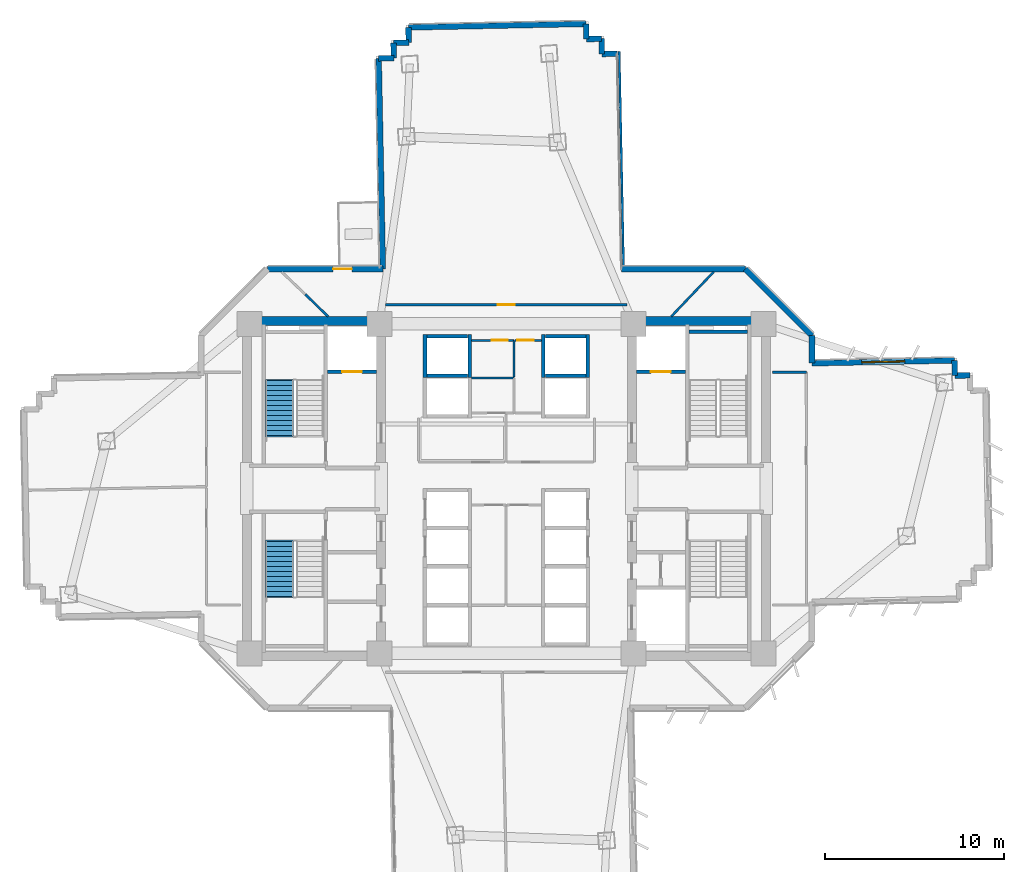
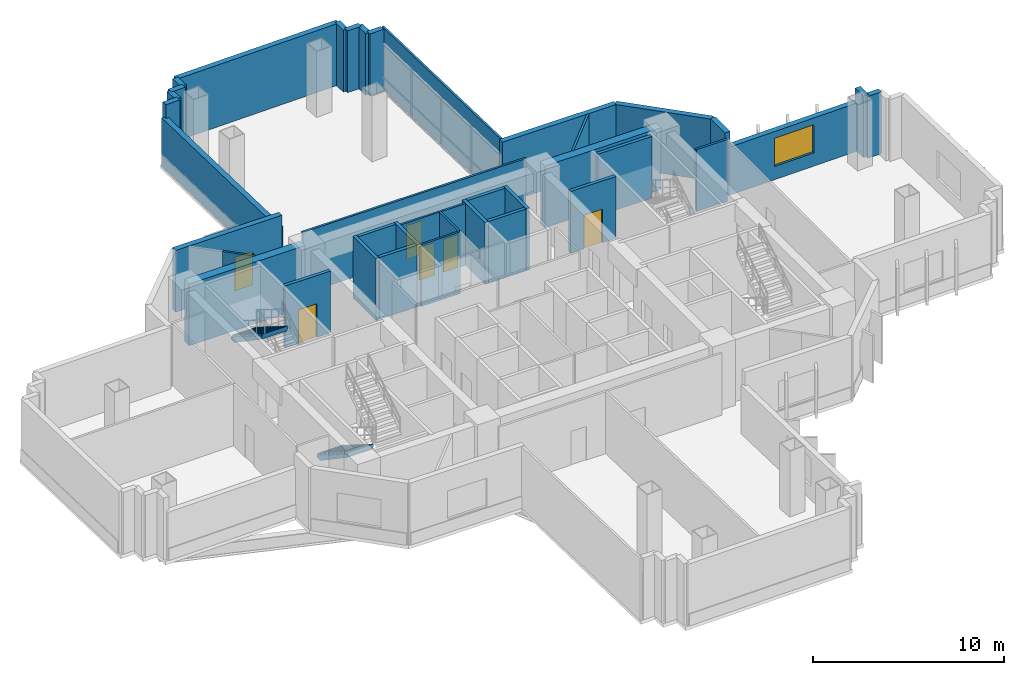
# One storey, part 9 of 15: 39 walls, 6 doors, 2 stair flights, 1 window, 7 openings, 2 elements without a shape of their own.
"""IFC4 building model written with IfcOpenShell, lengths in metres."""

from ifc_helpers import new_model, si_unit, direction, frame, frame_2d, origin, place, context, subcontext, project, spatial, polyline, rectangle, outline, extrude, source, transform, mapped, material, layer, layer_set, type_object, element, fill, aggregate, save


model = new_model("IFC4")

# Units and contexts
model_context = context("Model", 3, precision=1e-05, world=origin(), true_north=direction((0.0, 1.0)))
body_context = subcontext(model_context, "Body", "Model", "MODEL_VIEW")
ifc_project = project(units=[si_unit("LENGTHUNIT", "METRE"), si_unit("AREAUNIT", "SQUARE_METRE"), si_unit("VOLUMEUNIT", "CUBIC_METRE"), si_unit("PLANEANGLEUNIT", "RADIAN"), si_unit("MASSUNIT", "GRAM", prefix="KILO")], contexts=[model_context])

# Site, building, storey
site_placement = place(None, origin())
site = spatial("IfcSite", under=ifc_project, at=site_placement, CompositionType="ELEMENT")
building_placement = place(site_placement, origin())
building = spatial("IfcBuilding", under=site, at=building_placement, Name="Zahravan Cultural Tower", CompositionType="ELEMENT")
storey_placement = place(building_placement, frame((0.0, 0.0, 41.699951171875)))
storey = spatial("IfcBuildingStorey", under=building, at=storey_placement, Name="L08", CompositionType="ELEMENT", Elevation=41.699951171875)

# Wall, opening, window
ifc_material_1 = material(Name="Precast concrete C40/50", Category="concrete")
ifc_layer_1 = layer(ifc_material_1, 0.320068359375)
ifc_layer_set_1 = layer_set([ifc_layer_1], Name="Precast concrete C40/50")
wall_type_1 = type_object("IfcWallType", Name="EW-TC-320", PredefinedType="SOLIDWALL", material=ifc_layer_set_1)
wall_1_placement = place(storey_placement, frame((53.06005859375, 34.000732421875, 0.0), z_axis=(0.0, 0.0, 1.0), x_axis=(0.999802065132, 0.019895490902, 0.0)))
wall_1 = element("IfcWall", 1, at=wall_1_placement, inside=storey, type_object=wall_type_1, Name="L08 Exterior Masonry Frame Wall 01", PredefinedType="SOLIDWALL", context=body_context, shape_type="SweptSolid", body=[
    extrude(rectangle(XDim=7.9638671875, YDim=0.320068359375, at=frame_2d((3.98193359375, 0.0))), origin(), (0.0, 0.0, 1.0), 3.080078125),
])
opening_1_placement = place(wall_1_placement, frame((2.781982421875, 0.0, 0.85009765625)))
opening_1 = element("IfcOpeningElement", 2, at=opening_1_placement, cuts=wall_1, Name="Opening WN-01", PredefinedType="OPENING", context=body_context, shape_type="SweptSolid", body=[
    extrude(rectangle(XDim=2.39990234375, YDim=1.800048828125, at=frame_2d((1.199951171875, 0.89990234375))), frame((0.0, 0.169921875, 0.0), z_axis=(0.0, -1.0, 0.0), x_axis=(1.0, 0.0, 0.0)), (0.0, 0.0, 1.0), 0.340087890625),
])
ifc_material_2 = material(Name="Low-E solar-control double glazing", Category="glass")
window_type = type_object("IfcWindowType", Name="WN-REC-2400X1800", PartitioningType="DOUBLE_PANEL_VERTICAL", PredefinedType="WINDOW", material=ifc_material_2)
shared_shape_1 = source(origin(), body_context, "Body", "SweptSolid", [
    extrude(rectangle(XDim=2.39990234375, YDim=1.800048828125, at=frame_2d((1.199951171875, 0.89990234375))), frame((0.0, 0.030029296875, 0.0), z_axis=(0.0, -1.0, 0.0), x_axis=(1.0, 0.0, 0.0)), (0.0, 0.0, 1.0), 0.06005859375),
])
window_placement = place(opening_1_placement, origin())
window = element("IfcWindow", 3, at=window_placement, inside=storey, type_object=window_type, Name="L08 Recessed Solar Window 01", OverallHeight=1.800048828125, OverallWidth=2.39990234375, PartitioningType="DOUBLE_PANEL_VERTICAL", PredefinedType="WINDOW", context=body_context, shape_type="MappedRepresentation", body=[
    mapped(shared_shape_1, transform((0.0, 0.0, 0.0), x_axis=(1.0, 0.0, 0.0), y_axis=(0.0, 1.0, 0.0), z_axis=(0.0, 0.0, 1.0), scale=1.0)),
])
fill(opening_1, window)

# Wall, opening, door
wall_2_placement = place(storey_placement, frame((22.657958984375, 39.260009765625, 0.0), z_axis=(0.0, 0.0, 1.0), x_axis=(1.0, 0.0, 0.0)))
wall_2 = element("IfcWall", 4, at=wall_2_placement, inside=storey, type_object=wall_type_1, Name="L08 Exterior Masonry Frame Wall 41", PredefinedType="SOLIDWALL", context=body_context, shape_type="SweptSolid", body=[
    extrude(rectangle(XDim=6.436767578125, YDim=0.320068359375, at=frame_2d((3.21826171875, 0.0))), origin(), (0.0, 0.0, 1.0), 3.949951171875),
])
opening_2_placement = place(wall_2_placement, frame((3.6630859375, 0.0, 0.0)))
opening_2 = element("IfcOpeningElement", 5, at=opening_2_placement, cuts=wall_2, Name="Opening D-L08-TR-NW", PredefinedType="OPENING", context=body_context, shape_type="SweptSolid", body=[
    extrude(rectangle(XDim=1.050048828125, YDim=2.14990234375, at=frame_2d((0.52490234375, 1.074951171875))), frame((0.0, 0.169921875, 0.0), z_axis=(0.0, -1.0, 0.0), x_axis=(1.0, 0.0, 0.0)), (0.0, 0.0, 1.0), 0.340087890625),
])
ifc_material_3 = material(Name="Anodised bronze-aluminium mullion", Category="aluminium")
door_type_1 = type_object("IfcDoorType", Name="DR-TERR-1050", OperationType="NOTDEFINED", PredefinedType="DOOR", material=ifc_material_3)
shared_shape_2 = source(origin(), body_context, "Body", "SweptSolid", [
    extrude(rectangle(XDim=1.050048828125, YDim=2.14990234375, at=frame_2d((0.52490234375, 1.074951171875))), frame((0.0, 0.02490234375, 0.0), z_axis=(0.0, -1.0, 0.0), x_axis=(1.0, 0.0, 0.0)), (0.0, 0.0, 1.0), 0.050048828125),
])
door_1_placement = place(opening_2_placement, origin())
door_1 = element("IfcDoor", 6, at=door_1_placement, inside=storey, type_object=door_type_1, Name="L08 Terrace Access Door NW", OperationType="SINGLE_SWING_LEFT", OverallHeight=2.14990234375, OverallWidth=1.050048828125, PredefinedType="DOOR", context=body_context, shape_type="MappedRepresentation", body=[
    mapped(shared_shape_2, transform((0.0, 0.0, 0.0), x_axis=(1.0, 0.0, 0.0), y_axis=(0.0, 1.0, 0.0), z_axis=(0.0, 0.0, 1.0), scale=1.0)),
])
fill(opening_2, door_1)

ifc_material_4 = material(Name="Gypsum plasterboard partition")
ifc_layer_2 = layer(ifc_material_4, 0.125)
ifc_layer_set_2 = layer_set([ifc_layer_2], Name="Gypsum plasterboard partition")
wall_type_2 = type_object("IfcWallType", Name="W-PART-125", PredefinedType="PARTITIONING", material=ifc_layer_set_2)
wall_3_placement = place(storey_placement, frame((42.744140625, 37.260009765625, 0.0), z_axis=(0.0, 0.0, 1.0), x_axis=(-0.999999999345, -3.6194509e-05, 0.0)))
wall_3 = element("IfcWall", 7, at=wall_3_placement, inside=storey, type_object=wall_type_2, Name="L08 Interior Wall 104", PredefinedType="PARTITIONING", context=body_context, shape_type="SweptSolid", body=[
    extrude(rectangle(XDim=13.490478515625, YDim=0.125, at=frame_2d((6.7451171875, 0.0))), origin(), (0.0, 0.0, 1.0), 3.949951171875),
])
opening_3_placement = place(wall_3_placement, frame((6.270263671875, 0.0, 0.0)))
opening_3 = element("IfcOpeningElement", 8, at=opening_3_placement, cuts=wall_3, Name="Opening D-L08-20", PredefinedType="OPENING", context=body_context, shape_type="SweptSolid", body=[
    extrude(rectangle(XDim=0.949951171875, YDim=2.14990234375, at=frame_2d((0.47509765625, 1.074951171875))), frame((0.0, 0.072509765625, 0.0), z_axis=(0.0, -1.0, 0.0), x_axis=(1.0, 0.0, 0.0)), (0.0, 0.0, 1.0), 0.14501953125),
])
door_type_2 = type_object("IfcDoorType", Name="DR-ROOM-950", OperationType="NOTDEFINED", PredefinedType="DOOR", material=ifc_material_3)
shared_shape_3 = source(origin(), body_context, "Body", "SweptSolid", [
    extrude(rectangle(XDim=0.949951171875, YDim=2.14990234375, at=frame_2d((0.47509765625, 1.074951171875))), frame((0.0, 0.02490234375, 0.0), z_axis=(0.0, -1.0, 0.0), x_axis=(1.0, 0.0, 0.0)), (0.0, 0.0, 1.0), 0.050048828125),
])
door_2_placement = place(opening_3_placement, origin())
door_2 = element("IfcDoor", 9, at=door_2_placement, inside=storey, type_object=door_type_2, Name="L08 Door D-L08-20", OperationType="SINGLE_SWING_LEFT", OverallHeight=2.14990234375, OverallWidth=0.949951171875, PredefinedType="DOOR", context=body_context, shape_type="MappedRepresentation", body=[
    mapped(shared_shape_3, transform((0.0, 0.0, 0.0), x_axis=(1.0, 0.0, 0.0), y_axis=(0.0, 1.0, 0.0), z_axis=(0.0, 0.0, 1.0), scale=1.0)),
])
fill(opening_3, door_2)

ifc_material_5 = material(Name="Concrete C45/55", Category="concrete")
ifc_layer_3 = layer(ifc_material_5, 0.199951171875)
ifc_layer_set_3 = layer_set([ifc_layer_3], Name="Concrete C45/55")
wall_type_3 = type_object("IfcWallType", Name="W-SHAFT-200", PredefinedType="SOLIDWALL", material=ifc_layer_set_3)
wall_4_placement = place(storey_placement, frame((26.0, 33.52001953125, 0.0), z_axis=(0.0, 0.0, 1.0), x_axis=(1.0, 0.0, 0.0)))
wall_4 = element("IfcWall", 10, at=wall_4_placement, inside=storey, type_object=wall_type_3, Name="L08 Interior Wall 021", PredefinedType="SOLIDWALL", context=body_context, shape_type="SweptSolid", body=[
    extrude(rectangle(XDim=2.75, YDim=0.199951171875, at=frame_2d((1.375, 0.0))), origin(), (0.0, 0.0, 1.0), 3.949951171875),
])
opening_4_placement = place(wall_4_placement, frame((0.820068359375, 0.0, 0.0)))
opening_4 = element("IfcOpeningElement", 11, at=opening_4_placement, cuts=wall_4, Name="Opening LD-L08-01", PredefinedType="OPENING", context=body_context, shape_type="SweptSolid", body=[
    extrude(rectangle(XDim=1.10009765625, YDim=2.14990234375, at=frame_2d((0.550048828125, 1.074951171875))), frame((0.0, 0.10986328125, 0.0), z_axis=(0.0, -1.0, 0.0), x_axis=(1.0, 0.0, 0.0)), (0.0, 0.0, 1.0), 0.219970703125),
])
ifc_material_6 = material(Name="Steel ASTM A572 Grade 50", Category="steel")
door_type_3 = type_object("IfcDoorType", Name="DR-LIFT-1100", OperationType="DOUBLE_DOOR_SLIDING", PredefinedType="DOOR", material=ifc_material_6)
shared_shape_4 = source(origin(), body_context, "Body", "SweptSolid", [
    extrude(rectangle(XDim=1.10009765625, YDim=2.14990234375, at=frame_2d((0.550048828125, 1.074951171875))), frame((0.0, 0.02490234375, 0.0), z_axis=(0.0, -1.0, 0.0), x_axis=(1.0, 0.0, 0.0)), (0.0, 0.0, 1.0), 0.050048828125),
])
door_3_placement = place(opening_4_placement, origin())
door_3 = element("IfcDoor", 12, at=door_3_placement, inside=storey, type_object=door_type_3, Name="L08 Door LD-L08-01", OperationType="DOUBLE_DOOR_SLIDING", OverallHeight=2.14990234375, OverallWidth=1.10009765625, PredefinedType="DOOR", context=body_context, shape_type="MappedRepresentation", body=[
    mapped(shared_shape_4, transform((0.0, 0.0, 0.0), x_axis=(1.0, 0.0, 0.0), y_axis=(0.0, 1.0, 0.0), z_axis=(0.0, 0.0, 1.0), scale=1.0)),
])
fill(opening_4, door_3)

wall_5_placement = place(storey_placement, frame((43.25, 33.52001953125, 0.0), z_axis=(0.0, 0.0, 1.0), x_axis=(1.0, 0.0, 0.0)))
wall_5 = element("IfcWall", 13, at=wall_5_placement, inside=storey, type_object=wall_type_3, Name="L08 Interior Wall 022", PredefinedType="SOLIDWALL", context=body_context, shape_type="SweptSolid", body=[
    extrude(rectangle(XDim=2.75, YDim=0.199951171875, at=frame_2d((1.375, 0.0))), origin(), (0.0, 0.0, 1.0), 3.949951171875),
])
opening_5_placement = place(wall_5_placement, frame((0.820068359375, 0.0, 0.0)))
opening_5 = element("IfcOpeningElement", 14, at=opening_5_placement, cuts=wall_5, Name="Opening LD-L08-02", PredefinedType="OPENING", context=body_context, shape_type="SweptSolid", body=[
    extrude(rectangle(XDim=1.10009765625, YDim=2.14990234375, at=frame_2d((0.550048828125, 1.074951171875))), frame((0.0, 0.10986328125, 0.0), z_axis=(0.0, -1.0, 0.0), x_axis=(1.0, 0.0, 0.0)), (0.0, 0.0, 1.0), 0.219970703125),
])
door_4_placement = place(opening_5_placement, origin())
door_4 = element("IfcDoor", 15, at=door_4_placement, inside=storey, type_object=door_type_3, Name="L08 Door LD-L08-02", OperationType="DOUBLE_DOOR_SLIDING", OverallHeight=2.14990234375, OverallWidth=1.10009765625, PredefinedType="DOOR", context=body_context, shape_type="MappedRepresentation", body=[
    mapped(shared_shape_4, transform((0.0, 0.0, 0.0), x_axis=(1.0, 0.0, 0.0), y_axis=(0.0, 1.0, 0.0), z_axis=(0.0, 0.0, 1.0), scale=1.0)),
])
fill(opening_5, door_4)

ifc_layer_4 = layer(ifc_material_4, 0.114990234375)
ifc_layer_set_4 = layer_set([ifc_layer_4], Name="Gypsum plasterboard partition")
wall_type_4 = type_object("IfcWallType", Name="W-WC-115", PredefinedType="PARTITIONING", material=ifc_layer_set_4)
wall_6_placement = place(storey_placement, frame((34.054931640625, 35.280029296875, 0.0), z_axis=(0.0, 0.0, 1.0), x_axis=(1.0, 0.0, 0.0)))
wall_6 = element("IfcWall", 16, at=wall_6_placement, inside=storey, type_object=wall_type_4, Name="L08 Interior Wall 071", PredefinedType="PARTITIONING", context=body_context, shape_type="SweptSolid", body=[
    extrude(rectangle(XDim=2.35498046875, YDim=0.114990234375, at=frame_2d((1.177490234375, 0.0))), origin(), (0.0, 0.0, 1.0), 3.949951171875),
])
opening_6_placement = place(wall_6_placement, frame((1.120849609375, 0.0, 0.0)))
opening_6 = element("IfcOpeningElement", 17, at=opening_6_placement, cuts=wall_6, Name="Opening D-L08-13", PredefinedType="OPENING", context=body_context, shape_type="SweptSolid", body=[
    extrude(rectangle(XDim=0.89990234375, YDim=2.10009765625, at=frame_2d((0.449951171875, 1.050048828125))), frame((0.0, 0.0673828125, 0.0), z_axis=(0.0, -1.0, 0.0), x_axis=(1.0, 0.0, 0.0)), (0.0, 0.0, 1.0), 0.135009765625),
])
door_type_4 = type_object("IfcDoorType", Name="DR-WC-900", OperationType="NOTDEFINED", PredefinedType="DOOR", material=ifc_material_3)
shared_shape_5 = source(origin(), body_context, "Body", "SweptSolid", [
    extrude(rectangle(XDim=0.89990234375, YDim=2.10009765625, at=frame_2d((0.449951171875, 1.050048828125))), frame((0.0, 0.02490234375, 0.0), z_axis=(0.0, -1.0, 0.0), x_axis=(1.0, 0.0, 0.0)), (0.0, 0.0, 1.0), 0.050048828125),
])
door_5_placement = place(opening_6_placement, origin())
door_5 = element("IfcDoor", 18, at=door_5_placement, inside=storey, type_object=door_type_4, Name="L08 Door D-L08-13", OperationType="SINGLE_SWING_RIGHT", OverallHeight=2.10009765625, OverallWidth=0.89990234375, PredefinedType="DOOR", context=body_context, shape_type="MappedRepresentation", body=[
    mapped(shared_shape_5, transform((0.0, 0.0, 0.0), x_axis=(1.0, 0.0, 0.0), y_axis=(0.0, 1.0, 0.0), z_axis=(0.0, 0.0, 1.0), scale=1.0)),
])
fill(opening_6, door_5)

wall_7_placement = place(storey_placement, frame((36.472412109375, 35.280029296875, 0.0), z_axis=(0.0, 0.0, 1.0), x_axis=(1.0, 0.0, 0.0)))
wall_7 = element("IfcWall", 19, at=wall_7_placement, inside=storey, type_object=wall_type_4, Name="L08 Interior Wall 074", PredefinedType="PARTITIONING", context=body_context, shape_type="SweptSolid", body=[
    extrude(rectangle(XDim=1.47265625, YDim=0.114990234375, at=frame_2d((0.736328125, 0.0))), origin(), (0.0, 0.0, 1.0), 3.949951171875),
])
opening_7_placement = place(wall_7_placement, frame((0.139892578125, 0.0, 0.0)))
opening_7 = element("IfcOpeningElement", 20, at=opening_7_placement, cuts=wall_7, Name="Opening D-L08-14", PredefinedType="OPENING", context=body_context, shape_type="SweptSolid", body=[
    extrude(rectangle(XDim=0.89990234375, YDim=2.10009765625, at=frame_2d((0.449951171875, 1.050048828125))), frame((0.0, 0.0673828125, 0.0), z_axis=(0.0, -1.0, 0.0), x_axis=(1.0, 0.0, 0.0)), (0.0, 0.0, 1.0), 0.135009765625),
])
door_6_placement = place(opening_7_placement, origin())
door_6 = element("IfcDoor", 21, at=door_6_placement, inside=storey, type_object=door_type_4, Name="L08 Door D-L08-14", OperationType="SINGLE_SWING_LEFT", OverallHeight=2.10009765625, OverallWidth=0.89990234375, PredefinedType="DOOR", context=body_context, shape_type="MappedRepresentation", body=[
    mapped(shared_shape_5, transform((0.0, 0.0, 0.0), x_axis=(1.0, 0.0, 0.0), y_axis=(0.0, 1.0, 0.0), z_axis=(0.0, 0.0, 1.0), scale=1.0)),
])
fill(opening_7, door_6)

# Walls
ifc_material_7 = material(Name="Concrete C60/75", Category="concrete")
ifc_layer_5 = layer(ifc_material_7, 0.5)
ifc_layer_set_5 = layer_set([ifc_layer_5], Name="Concrete C60/75")
wall_type_5 = type_object("IfcWallType", Name="CW-SHEAR-500-C60", PredefinedType="SHEAR", material=ifc_layer_set_5)
shared_shape_6 = source(origin(), body_context, "Body", "SweptSolid", [
    extrude(rectangle(XDim=7.0, YDim=0.5, at=frame_2d((3.5, 0.0))), origin(), (0.0, 0.0, 1.0), 3.949951171875),
])
for number, where, z_axis, x_axis, name in (
    (22, (21.75, 36.35009765625, 0.0), (0.0, 0.0, 1.0), (1.0, 0.0, 0.0), "L08 Core Shear Wall CW-W-N-L08"),
    (23, (43.25, 36.35009765625, 0.0), (0.0, 0.0, 1.0), (1.0, 0.0, 0.0), "L08 Core Shear Wall CW-E-N-L08"),
):
    element("IfcWall", number, at=place(storey_placement, frame(where, z_axis=z_axis, x_axis=x_axis)), inside=storey, type_object=wall_type_5, Name=name, PredefinedType="SHEAR", context=body_context, shape_type="MappedRepresentation", body=[
        mapped(shared_shape_6, transform((0.0, 0.0, 0.0), x_axis=(1.0, 0.0, 0.0), y_axis=(0.0, 1.0, 0.0), z_axis=(0.0, 0.0, 1.0), scale=1.0)),
    ])
shared_shape_7 = source(origin(), body_context, "Body", "SweptSolid", [
    extrude(rectangle(XDim=0.849853515625, YDim=0.320068359375, at=frame_2d((0.4248046875, 0.0))), origin(), (0.0, 0.0, 1.0), 3.949951171875),
])
wall_8_placement = place(storey_placement, frame((30.54345703125, 51.906494140625, 0.0), z_axis=(0.0, 0.0, 1.0), x_axis=(-0.019823689915, 0.999803491351, 0.0)))
element("IfcWall", 24, at=wall_8_placement, inside=storey, type_object=wall_type_1, Name="L08 Exterior Masonry Frame Wall 46", PredefinedType="SOLIDWALL", context=body_context, shape_type="MappedRepresentation", body=[
    mapped(shared_shape_7, transform((0.0, 0.0, 0.0), x_axis=(1.0, 0.0, 0.0), y_axis=(0.0, 1.0, 0.0), z_axis=(0.0, 0.0, 1.0), scale=1.0)),
])
shared_shape_8 = source(origin(), body_context, "Body", "SweptSolid", [
    extrude(rectangle(XDim=0.85009765625, YDim=0.320068359375, at=frame_2d((0.425048828125, 0.0))), origin(), (0.0, 0.0, 1.0), 3.949951171875),
])
for number, where, z_axis, x_axis, name in (
    (25, (61.0224609375, 34.1591796875, 0.0), (0.0, 0.0, 1.0), (0.019817997326, -0.999803604205, 0.0), "L08 Exterior Masonry Frame Wall 02"),
    (26, (61.039306640625, 33.309326171875, 0.0), (0.0, 0.0, 1.0), (0.999797872061, 0.020105099409, 0.0), "L08 Exterior Masonry Frame Wall 03"),
    (27, (28.860595703125, 51.022705078125, 0.0), (0.0, 0.0, 1.0), (0.999803604205, 0.019817997326, 0.0), "L08 Exterior Masonry Frame Wall 43"),
    (28, (29.71044921875, 51.03955078125, 0.0), (0.0, 0.0, 1.0), (-0.019817997326, 0.999803604205, 0.0), "L08 Exterior Masonry Frame Wall 44"),
    (29, (29.693603515625, 51.889404296875, 0.0), (0.0, 0.0, 1.0), (0.999797872061, 0.020105099409, 0.0), "L08 Exterior Masonry Frame Wall 45"),
    (30, (40.444580078125, 52.95361328125, 0.0), (0.0, 0.0, 1.0), (0.019817997326, -0.999803604205, 0.0), "L08 Exterior Masonry Frame Wall 48"),
    (31, (40.46142578125, 52.103759765625, 0.0), (0.0, 0.0, 1.0), (0.999803604205, 0.019817997326, 0.0), "L08 Exterior Masonry Frame Wall 49"),
    (32, (41.311279296875, 52.12060546875, 0.0), (0.0, 0.0, 1.0), (0.019817997326, -0.999803604205, 0.0), "L08 Exterior Masonry Frame Wall 50"),
    (33, (41.328125, 51.270751953125, 0.0), (0.0, 0.0, 1.0), (0.999803604205, 0.019817997326, 0.0), "L08 Exterior Masonry Frame Wall 51"),
):
    element("IfcWall", number, at=place(storey_placement, frame(where, z_axis=z_axis, x_axis=x_axis)), inside=storey, type_object=wall_type_1, Name=name, PredefinedType="SOLIDWALL", context=body_context, shape_type="MappedRepresentation", body=[
        mapped(shared_shape_8, transform((0.0, 0.0, 0.0), x_axis=(1.0, 0.0, 0.0), y_axis=(0.0, 1.0, 0.0), z_axis=(0.0, 0.0, 1.0), scale=1.0)),
    ])
shared_shape_9 = source(origin(), body_context, "Body", "SweptSolid", [
    extrude(rectangle(XDim=9.919921875, YDim=0.320068359375, at=frame_2d((4.9599609375, 0.0))), origin(), (0.0, 0.0, 1.0), 3.949951171875),
])
wall_9_placement = place(storey_placement, frame((30.526611328125, 52.756103515625, 0.0), z_axis=(0.0, 0.0, 1.0), x_axis=(0.999801768563, 0.019910388705, 0.0)))
element("IfcWall", 34, at=wall_9_placement, inside=storey, type_object=wall_type_1, Name="L08 Exterior Masonry Frame Wall 47", PredefinedType="SOLIDWALL", context=body_context, shape_type="MappedRepresentation", body=[
    mapped(shared_shape_9, transform((0.0, 0.0, 0.0), x_axis=(1.0, 0.0, 0.0), y_axis=(0.0, 1.0, 0.0), z_axis=(0.0, 0.0, 1.0), scale=1.0)),
])
shared_shape_10 = source(origin(), body_context, "Body", "SweptSolid", [
    extrude(rectangle(XDim=5.258056640625, YDim=0.320068359375, at=frame_2d((2.62890625, 0.0))), origin(), (0.0, 0.0, 1.0), 3.949951171875),
])
wall_10_placement = place(storey_placement, frame((49.342041015625, 39.260009765625, 0.0), z_axis=(0.0, 0.0, 1.0), x_axis=(0.707106781187, -0.707106781187, 0.0)))
element("IfcWall", 35, at=wall_10_placement, inside=storey, type_object=wall_type_1, Name="L08 Exterior Masonry Frame Wall 53", PredefinedType="SOLIDWALL", context=body_context, shape_type="MappedRepresentation", body=[
    mapped(shared_shape_10, transform((0.0, 0.0, 0.0), x_axis=(1.0, 0.0, 0.0), y_axis=(0.0, 1.0, 0.0), z_axis=(0.0, 0.0, 1.0), scale=1.0)),
])
shared_shape_11 = source(origin(), body_context, "Body", "SweptSolid", [
    extrude(rectangle(XDim=1.541259765625, YDim=0.320068359375, at=frame_2d((0.7705078125, 0.0))), origin(), (0.0, 0.0, 1.0), 3.949951171875),
])
wall_11_placement = place(storey_placement, frame((53.06005859375, 35.5419921875, 0.0), z_axis=(0.0, 0.0, 1.0), x_axis=(0.0, -1.0, 0.0)))
element("IfcWall", 36, at=wall_11_placement, inside=storey, type_object=wall_type_1, Name="L08 Exterior Masonry Frame Wall 54", PredefinedType="SOLIDWALL", context=body_context, shape_type="MappedRepresentation", body=[
    mapped(shared_shape_11, transform((0.0, 0.0, 0.0), x_axis=(1.0, 0.0, 0.0), y_axis=(0.0, 1.0, 0.0), z_axis=(0.0, 0.0, 1.0), scale=1.0)),
])
shared_shape_12 = source(origin(), body_context, "Body", "SweptSolid", [
    extrude(rectangle(XDim=11.76513671875, YDim=0.320068359375, at=frame_2d((5.882568359375, 0.0))), origin(), (0.0, 0.0, 1.0), 3.080078125),
])
wall_12_placement = place(storey_placement, frame((29.0947265625, 39.260009765625, 0.0), z_axis=(0.0, 0.0, 1.0), x_axis=(-0.019900582882, 0.999801963791, 0.0)))
element("IfcWall", 37, at=wall_12_placement, inside=storey, type_object=wall_type_1, Name="L08 Exterior Masonry Frame Wall 42", PredefinedType="SOLIDWALL", context=body_context, shape_type="MappedRepresentation", body=[
    mapped(shared_shape_12, transform((0.0, 0.0, 0.0), x_axis=(1.0, 0.0, 0.0), y_axis=(0.0, 1.0, 0.0), z_axis=(0.0, 0.0, 1.0), scale=1.0)),
])
shared_shape_13 = source(origin(), body_context, "Body", "SweptSolid", [
    extrude(rectangle(XDim=6.924560546875, YDim=0.320068359375, at=frame_2d((3.46240234375, 0.0))), origin(), (0.0, 0.0, 1.0), 3.949951171875),
])
wall_13_placement = place(storey_placement, frame((42.41748046875, 39.260009765625, 0.0), z_axis=(0.0, 0.0, 1.0), x_axis=(1.0, 0.0, 0.0)))
element("IfcWall", 38, at=wall_13_placement, inside=storey, type_object=wall_type_1, Name="L08 Exterior Masonry Frame Wall 52", PredefinedType="SOLIDWALL", context=body_context, shape_type="MappedRepresentation", body=[
    mapped(shared_shape_13, transform((0.0, 0.0, 0.0), x_axis=(1.0, 0.0, 0.0), y_axis=(0.0, 1.0, 0.0), z_axis=(0.0, 0.0, 1.0), scale=1.0)),
])
shared_shape_14 = source(origin(), body_context, "Body", "SweptSolid", [
    extrude(rectangle(XDim=3.25, YDim=0.199951171875, at=frame_2d((1.625, 0.0))), origin(), (0.0, 0.0, 1.0), 3.949951171875),
])
wall_14_placement = place(storey_placement, frame((46.199951171875, 35.75, 0.0), z_axis=(0.0, 0.0, 1.0), x_axis=(1.0, 0.0, 0.0)))
element("IfcWall", 39, at=wall_14_placement, inside=storey, type_object=wall_type_3, Name="L08 Interior Wall 018", PredefinedType="SOLIDWALL", context=body_context, shape_type="MappedRepresentation", body=[
    mapped(shared_shape_14, transform((0.0, 0.0, 0.0), x_axis=(1.0, 0.0, 0.0), y_axis=(0.0, 1.0, 0.0), z_axis=(0.0, 0.0, 1.0), scale=1.0)),
])
shared_shape_15 = source(origin(), body_context, "Body", "SweptSolid", [
    extrude(rectangle(XDim=2.400146484375, YDim=0.199951171875, at=frame_2d((1.2001953125, 0.0))), origin(), (0.0, 0.0, 1.0), 3.949951171875),
])
for number, where, z_axis, x_axis, name in (
    (40, (31.449951171875, 33.199951171875, 0.0), (0.0, 0.0, 1.0), (0.0, 1.0, 0.0), "L08 Interior Wall 028"),
    (41, (33.949951171875, 33.199951171875, 0.0), (0.0, 0.0, 1.0), (0.0, 1.0, 0.0), "L08 Interior Wall 029"),
    (42, (38.050048828125, 33.199951171875, 0.0), (0.0, 0.0, 1.0), (0.0, 1.0, 0.0), "L08 Interior Wall 035"),
    (43, (40.550048828125, 33.199951171875, 0.0), (0.0, 0.0, 1.0), (0.0, 1.0, 0.0), "L08 Interior Wall 036"),
):
    element("IfcWall", number, at=place(storey_placement, frame(where, z_axis=z_axis, x_axis=x_axis)), inside=storey, type_object=wall_type_3, Name=name, PredefinedType="SOLIDWALL", context=body_context, shape_type="MappedRepresentation", body=[
        mapped(shared_shape_15, transform((0.0, 0.0, 0.0), x_axis=(1.0, 0.0, 0.0), y_axis=(0.0, 1.0, 0.0), z_axis=(0.0, 0.0, 1.0), scale=1.0)),
    ])
shared_shape_16 = source(origin(), body_context, "Body", "SweptSolid", [
    extrude(rectangle(XDim=2.260009765625, YDim=0.199951171875, at=frame_2d((1.1298828125, 0.0))), origin(), (0.0, 0.0, 1.0), 3.949951171875),
])
for number, where, z_axis, x_axis, name in (
    (44, (31.570068359375, 33.300048828125, 0.0), (0.0, 0.0, 1.0), (1.0, 0.0, 0.0), "L08 Interior Wall 030"),
    (45, (31.570068359375, 35.5, 0.0), (0.0, 0.0, 1.0), (1.0, 0.0, 0.0), "L08 Interior Wall 031"),
    (46, (38.169921875, 33.300048828125, 0.0), (0.0, 0.0, 1.0), (1.0, 0.0, 0.0), "L08 Interior Wall 037"),
    (47, (38.169921875, 35.5, 0.0), (0.0, 0.0, 1.0), (1.0, 0.0, 0.0), "L08 Interior Wall 038"),
):
    element("IfcWall", number, at=place(storey_placement, frame(where, z_axis=z_axis, x_axis=x_axis)), inside=storey, type_object=wall_type_3, Name=name, PredefinedType="SOLIDWALL", context=body_context, shape_type="MappedRepresentation", body=[
        mapped(shared_shape_16, transform((0.0, 0.0, 0.0), x_axis=(1.0, 0.0, 0.0), y_axis=(0.0, 1.0, 0.0), z_axis=(0.0, 0.0, 1.0), scale=1.0)),
    ])
shared_shape_17 = source(origin(), body_context, "Body", "SweptSolid", [
    extrude(rectangle(XDim=2.35498046875, YDim=0.114990234375, at=frame_2d((1.177490234375, 0.0))), origin(), (0.0, 0.0, 1.0), 3.949951171875),
])
wall_15_placement = place(storey_placement, frame((34.054931640625, 33.179931640625, 0.0), z_axis=(0.0, 0.0, 1.0), x_axis=(1.0, 0.0, 0.0)))
element("IfcWall", 48, at=wall_15_placement, inside=storey, type_object=wall_type_4, Name="L08 Interior Wall 069", PredefinedType="PARTITIONING", context=body_context, shape_type="MappedRepresentation", body=[
    mapped(shared_shape_17, transform((0.0, 0.0, 0.0), x_axis=(1.0, 0.0, 0.0), y_axis=(0.0, 1.0, 0.0), z_axis=(0.0, 0.0, 1.0), scale=1.0)),
])
shared_shape_18 = source(origin(), body_context, "Body", "SweptSolid", [
    extrude(rectangle(XDim=2.0400390625, YDim=0.114990234375, at=frame_2d((1.02001953125, 0.0))), origin(), (0.0, 0.0, 1.0), 3.949951171875),
])
wall_16_placement = place(storey_placement, frame((36.409912109375, 35.280029296875, 0.0), z_axis=(0.0, 0.0, 1.0), x_axis=(0.0, -1.0, 0.0)))
element("IfcWall", 49, at=wall_16_placement, inside=storey, type_object=wall_type_4, Name="L08 Interior Wall 072", PredefinedType="PARTITIONING", context=body_context, shape_type="MappedRepresentation", body=[
    mapped(shared_shape_18, transform((0.0, 0.0, 0.0), x_axis=(1.0, 0.0, 0.0), y_axis=(0.0, 1.0, 0.0), z_axis=(0.0, 0.0, 1.0), scale=1.0)),
])
shared_shape_19 = source(origin(), body_context, "Body", "SweptSolid", [
    extrude(rectangle(XDim=1.77099609375, YDim=0.125, at=frame_2d((0.885498046875, 0.0))), origin(), (0.0, 0.0, 1.0), 3.949951171875),
])
wall_17_placement = place(storey_placement, frame((24.772216796875, 37.838134765625, 0.0), z_axis=(0.0, 0.0, 1.0), x_axis=(0.717777212316, -0.696272844135, 0.0)))
element("IfcWall", 50, at=wall_17_placement, inside=storey, type_object=wall_type_2, Name="L08 Interior Wall 088", PredefinedType="PARTITIONING", context=body_context, shape_type="MappedRepresentation", body=[
    mapped(shared_shape_19, transform((0.0, 0.0, 0.0), x_axis=(1.0, 0.0, 0.0), y_axis=(0.0, 1.0, 0.0), z_axis=(0.0, 0.0, 1.0), scale=1.0)),
])
shared_shape_20 = source(origin(), body_context, "Body", "SweptSolid", [
    extrude(rectangle(XDim=3.437744140625, YDim=0.125, at=frame_2d((1.71875, 0.0))), origin(), (0.0, 0.0, 1.0), 3.949951171875),
])
wall_18_placement = place(storey_placement, frame((45.19677734375, 36.60498046875, 0.0), z_axis=(0.0, 0.0, 1.0), x_axis=(0.689493786127, 0.724291597972, 0.0)))
element("IfcWall", 51, at=wall_18_placement, inside=storey, type_object=wall_type_2, Name="L08 Interior Wall 102", PredefinedType="PARTITIONING", context=body_context, shape_type="MappedRepresentation", body=[
    mapped(shared_shape_20, transform((0.0, 0.0, 0.0), x_axis=(1.0, 0.0, 0.0), y_axis=(0.0, 1.0, 0.0), z_axis=(0.0, 0.0, 1.0), scale=1.0)),
])
shared_shape_21 = source(origin(), body_context, "Body", "SweptSolid", [
    extrude(rectangle(XDim=11.987548828125, YDim=0.125, at=frame_2d((5.99365234375, 0.0))), origin(), (0.0, 0.0, 1.0), 3.949951171875),
])
wall_19_placement = place(storey_placement, frame((42.295654296875, 51.41015625, 0.0), z_axis=(0.0, 0.0, 1.0), x_axis=(0.020060739884, -0.99979876311, 0.0)))
element("IfcWall", 52, at=wall_19_placement, inside=storey, type_object=wall_type_2, Name="L08 Interior Wall 103", PredefinedType="PARTITIONING", context=body_context, shape_type="MappedRepresentation", body=[
    mapped(shared_shape_21, transform((0.0, 0.0, 0.0), x_axis=(1.0, 0.0, 0.0), y_axis=(0.0, 1.0, 0.0), z_axis=(0.0, 0.0, 1.0), scale=1.0)),
])
shared_shape_22 = source(origin(), body_context, "Body", "SweptSolid", [
    extrude(rectangle(XDim=1.896728515625, YDim=0.125, at=frame_2d((0.9482421875, 0.0))), origin(), (0.0, 0.0, 1.0), 3.949951171875),
])
wall_20_placement = place(storey_placement, frame((52.747314453125, 33.497314453125, 0.0), z_axis=(0.0, 0.0, 1.0), x_axis=(-0.999999925444, -0.000386150055, 0.0)))
element("IfcWall", 53, at=wall_20_placement, inside=storey, type_object=wall_type_2, Name="L08 Interior Wall 101", PredefinedType="PARTITIONING", context=body_context, shape_type="MappedRepresentation", body=[
    mapped(shared_shape_22, transform((0.0, 0.0, 0.0), x_axis=(1.0, 0.0, 0.0), y_axis=(0.0, 1.0, 0.0), z_axis=(0.0, 0.0, 1.0), scale=1.0)),
])

# Stair, stair flight
stair_type = type_object("IfcStairType", Name="STR-DL-1550-420", PredefinedType="HALF_TURN_STAIR", material=ifc_material_5)
stair_1_placement = place(storey_placement, origin())
stair_1 = element("IfcStair", 54, at=stair_1_placement, inside=storey, type_object=stair_type, Name="L08 West Core North Exit Stair ST-W1", PredefinedType="HALF_TURN_STAIR")
stair_flight_type = type_object("IfcStairFlightType", Name="FLG-DL-1550-420", PredefinedType="STRAIGHT", material=ifc_material_5)
stair_flight_1_placement = place(storey_placement, frame((23.324951171875, 33.030029296875, 2.10009765625), z_axis=(0.0, 0.0, 1.0), x_axis=(0.0, -1.0, 0.0)))
stair_flight_1 = element("IfcStairFlight", 55, at=stair_flight_1_placement, type_object=stair_flight_type, Name="ST-W1 flight 2", NumberOfRisers=12, NumberOfTreads=11, PredefinedType="STRAIGHT", RiserHeight=0.175, TreadLength=0.28, context=body_context, shape_type="SweptSolid", body=[
    extrude(outline(polyline([(-0.06494140625, -0.139892578125), (-0.06494140625, 0.0), (0.0, 0.0), (0.0, 0.175048828125), (0.280029296875, 0.175048828125), (0.280029296875, 0.35009765625), (0.56005859375, 0.35009765625), (0.56005859375, 0.52490234375), (0.840087890625, 0.52490234375), (0.840087890625, 0.699951171875), (1.1201171875, 0.699951171875), (1.1201171875, 0.875), (1.39990234375, 0.875), (1.39990234375, 1.050048828125), (1.679931640625, 1.050048828125), (1.679931640625, 1.22509765625), (1.9599609375, 1.22509765625), (1.9599609375, 1.39990234375), (2.239990234375, 1.39990234375), (2.239990234375, 1.574951171875), (2.52001953125, 1.574951171875), (2.52001953125, 1.75), (2.800048828125, 1.75), (2.800048828125, 1.925048828125), (3.080078125, 1.925048828125), (3.080078125, 2.10009765625), (3.14501953125, 2.10009765625), (3.14501953125, 1.9501953125), (3.080078125, 1.748291015625), (0.28271484375, -0.139892578125), (-0.06494140625, -0.139892578125)])), frame((0.0, 0.77490234375, 0.0), z_axis=(0.0, -1.0, 0.0), x_axis=(1.0, 0.0, 0.0)), (0.0, 0.0, 1.0), 1.550048828125),
])
aggregate(stair_1, [stair_flight_1])

stair_2_placement = place(storey_placement, origin())
stair_2 = element("IfcStair", 56, at=stair_2_placement, inside=storey, type_object=stair_type, Name="L08 West Core South Exit Stair ST-W2", PredefinedType="HALF_TURN_STAIR")
stair_flight_2_placement = place(storey_placement, frame((23.324951171875, 24.050048828125, 0.0), z_axis=(0.0, 0.0, 1.0), x_axis=(0.0, -1.0, 0.0)))
stair_flight_2 = element("IfcStairFlight", 57, at=stair_flight_2_placement, type_object=stair_flight_type, Name="ST-W2 flight 1", NumberOfRisers=12, NumberOfTreads=11, PredefinedType="STRAIGHT", RiserHeight=0.175, TreadLength=0.28, context=body_context, shape_type="SweptSolid", body=[
    extrude(outline(polyline([(-0.06494140625, -0.139892578125), (-0.06494140625, 0.0), (0.0, 0.0), (0.0, 0.175048828125), (0.280029296875, 0.175048828125), (0.280029296875, 0.35009765625), (0.56005859375, 0.35009765625), (0.56005859375, 0.52490234375), (0.840087890625, 0.52490234375), (0.840087890625, 0.699951171875), (1.1201171875, 0.699951171875), (1.1201171875, 0.875), (1.39990234375, 0.875), (1.39990234375, 1.050048828125), (1.679931640625, 1.050048828125), (1.679931640625, 1.22509765625), (1.9599609375, 1.22509765625), (1.9599609375, 1.39990234375), (2.239990234375, 1.39990234375), (2.239990234375, 1.574951171875), (2.52001953125, 1.574951171875), (2.52001953125, 1.75), (2.800048828125, 1.75), (2.800048828125, 1.925048828125), (3.080078125, 1.925048828125), (3.080078125, 2.10009765625), (3.14501953125, 2.10009765625), (3.14501953125, 1.9501953125), (3.080078125, 1.748291015625), (0.28271484375, -0.139892578125), (-0.06494140625, -0.139892578125)])), frame((0.0, 0.77490234375, 0.0), z_axis=(0.0, -1.0, 0.0), x_axis=(1.0, 0.0, 0.0)), (0.0, 0.0, 1.0), 1.550048828125),
])
aggregate(stair_2, [stair_flight_2])

save(model, "model.ifc")
